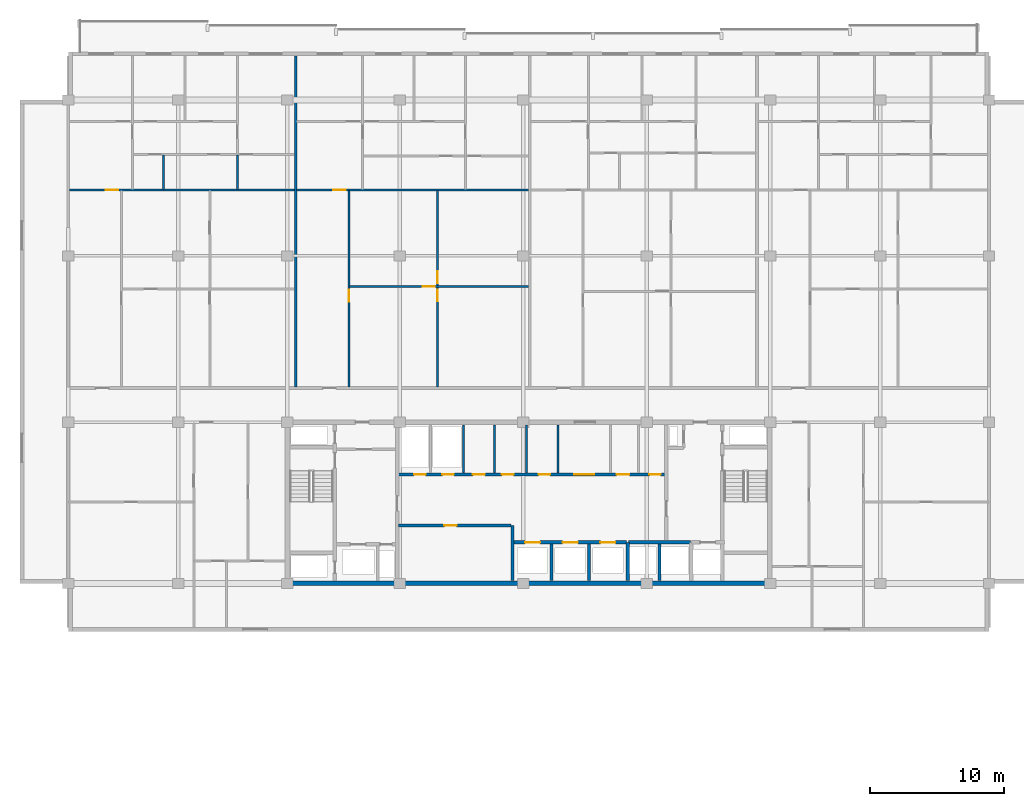
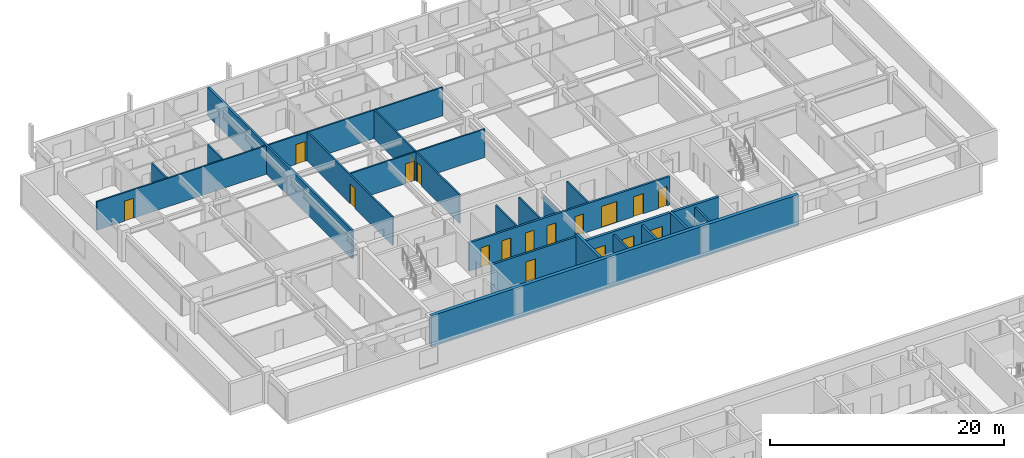
# One storey, part 12 of 23: 22 walls, 18 doors, 18 openings.
"""IFC4 building model written with IfcOpenShell, lengths in metres."""

from ifc_helpers import new_model, si_unit, direction, frame, frame_2d, origin, place, context, subcontext, project, spatial, rectangle, extrude, material, layer, layer_set, type_object, element, fill, save


model = new_model("IFC4")

# Units and contexts
model_context = context("Model", 3, precision=1e-05, world=origin(), true_north=direction((0.0, 1.0)))
body_context = subcontext(model_context, "Body", "Model", "MODEL_VIEW")
ifc_project = project(units=[si_unit("LENGTHUNIT", "METRE"), si_unit("AREAUNIT", "SQUARE_METRE"), si_unit("VOLUMEUNIT", "CUBIC_METRE"), si_unit("PLANEANGLEUNIT", "RADIAN"), si_unit("MASSUNIT", "GRAM", prefix="KILO")], contexts=[model_context])

# Site, building, storey
site_placement = place(None, origin())
site = spatial("IfcSite", under=ifc_project, at=site_placement, CompositionType="ELEMENT")
building_placement = place(site_placement, origin())
building = spatial("IfcBuilding", under=site, at=building_placement, Name="Korimba Cascade Residences", CompositionType="ELEMENT")
storey_placement = place(building_placement, frame((0.0, 0.0, 162.10009765625)))
storey = spatial("IfcBuildingStorey", under=building, at=storey_placement, Name="L46", CompositionType="ELEMENT", Elevation=162.10009765625)

# Walls
ifc_material_1 = material(Name="Concrete C65/80", Category="concrete")
ifc_layer_1 = layer(ifc_material_1, 0.35009765625)
ifc_layer_set_1 = layer_set([ifc_layer_1], Name="Concrete C65/80")
wall_type_1 = type_object("IfcWallType", Name="WAL-CORE-350", PredefinedType="SHEAR", material=ifc_layer_set_1)
wall_1_placement = place(storey_placement, frame((75.949951171875, 55.199951171875, 0.0), z_axis=(0.0, 0.0, 1.0), x_axis=(1.0, 0.0, 0.0)))
element("IfcWall", 1, at=wall_1_placement, inside=storey, type_object=wall_type_1, Name="L46 Core Shear Wall CW-L46-T1-S", PredefinedType="SHEAR", context=body_context, shape_type="SweptSolid", body=[
    extrude(rectangle(XDim=36.300048828125, YDim=0.35009765625, at=frame_2d((18.14990234375, 0.0))), origin(), (0.0, 0.0, 1.0), 3.25),
])
ifc_material_2 = material(Name="Precast concrete C40/50", Category="concrete")
ifc_layer_2 = layer(ifc_material_2, 0.199951171875)
ifc_layer_set_2 = layer_set([ifc_layer_2], Name="Precast concrete C40/50")
wall_type_2 = type_object("IfcWallType", Name="WAL-IT-200", PredefinedType="PARTITIONING", material=ifc_layer_set_2)
wall_2_placement = place(storey_placement, frame((76.735107421875, 69.830078125, 0.0), z_axis=(0.0, 0.0, 1.0), x_axis=(0.0, 1.0, 0.0)))
element("IfcWall", 2, at=wall_2_placement, inside=storey, type_object=wall_type_2, Name="L46 Partition Wall WAL-L46-T1-DEM-1", PredefinedType="PARTITIONING", context=body_context, shape_type="SweptSolid", body=[
    extrude(rectangle(XDim=24.669921875, YDim=0.199951171875, at=frame_2d((12.3349609375, 0.0))), origin(), (0.0, 0.0, 1.0), 2.969970703125),
])
ifc_material_3 = material(Name="Insulated Acoustic Stud Partition", Category="gypsum")
ifc_layer_3 = layer(ifc_material_3, 0.14990234375)
ifc_layer_set_3 = layer_set([ifc_layer_3], Name="Insulated Acoustic Stud Partition")
wall_type_3 = type_object("IfcWallType", Name="WAL-PART-150", PredefinedType="PARTITIONING", material=ifc_layer_set_3)
for number, where, z_axis, x_axis, name in (
    (3, (89.25, 63.39990234375, 0.0), (0.0, 0.0, 1.0), (0.0, 1.0, 0.0), "L46 Partition Wall CW-L46-T1-PRDIV"),
    (4, (91.550048828125, 63.39990234375, 0.0), (0.0, 0.0, 1.0), (0.0, 1.0, 0.0), "L46 Partition Wall CW-L46-T1-CA1W1"),
):
    element("IfcWall", number, at=place(storey_placement, frame(where, z_axis=z_axis, x_axis=x_axis)), inside=storey, type_object=wall_type_3, Name=name, PredefinedType="PARTITIONING", context=body_context, shape_type="SweptSolid", body=[
        extrude(rectangle(XDim=3.60009765625, YDim=0.14990234375, at=frame_2d((1.800048828125, 0.0))), origin(), (0.0, 0.0, 1.0), 2.969970703125),
    ])
wall_3_placement = place(storey_placement, frame((93.949951171875, 63.39990234375, 0.0), z_axis=(0.0, 0.0, 1.0), x_axis=(0.0, 1.0, 0.0)))
element("IfcWall", 5, at=wall_3_placement, inside=storey, type_object=wall_type_3, Name="L46 Partition Wall CW-L46-T1-CA1W2", PredefinedType="PARTITIONING", context=body_context, shape_type="SweptSolid", body=[
    extrude(rectangle(XDim=3.60009765625, YDim=0.14990234375, at=frame_2d((1.800048828125, 0.0))), origin(), (0.0, 0.0, 1.0), 2.277099609375),
])
wall_4_placement = place(storey_placement, frame((96.300048828125, 63.39990234375, 0.0), z_axis=(0.0, 0.0, 1.0), x_axis=(0.0, 1.0, 0.0)))
element("IfcWall", 6, at=wall_4_placement, inside=storey, type_object=wall_type_3, Name="L46 Partition Wall CW-L46-T1-THW", PredefinedType="PARTITIONING", context=body_context, shape_type="SweptSolid", body=[
    extrude(rectangle(XDim=3.60009765625, YDim=0.14990234375, at=frame_2d((1.800048828125, 0.0))), origin(), (0.0, 0.0, 1.0), 2.969970703125),
])
for number, where, z_axis, x_axis, name in (
    (7, (66.89990234375, 84.5400390625, 0.0), (0.0, 0.0, 1.0), (0.0, 1.0, 0.0), "L46 Partition Wall WAL-L46-T1-U01-VDRS"),
    (8, (72.405029296875, 84.5400390625, 0.0), (0.0, 0.0, 1.0), (0.0, 1.0, 0.0), "L46 Partition Wall WAL-L46-T1-U01-VBATH"),
):
    element("IfcWall", number, at=place(storey_placement, frame(where, z_axis=z_axis, x_axis=x_axis)), inside=storey, type_object=wall_type_3, Name=name, PredefinedType="PARTITIONING", context=body_context, shape_type="SweptSolid", body=[
        extrude(rectangle(XDim=2.580078125, YDim=0.14990234375, at=frame_2d((1.2900390625, 0.0))), origin(), (0.0, 0.0, 1.0), 2.969970703125),
    ])

# Wall, opening, door
wall_5_placement = place(storey_placement, frame((59.8798828125, 84.5, 0.0), z_axis=(0.0, 0.0, 1.0), x_axis=(1.0, 0.0, 0.0)))
wall_5 = element("IfcWall", 9, at=wall_5_placement, inside=storey, type_object=wall_type_3, Name="L46 Partition Wall WAL-L46-T1-U01-MW", PredefinedType="PARTITIONING", context=body_context, shape_type="SweptSolid", body=[
    extrude(rectangle(XDim=16.775146484375, YDim=0.14990234375, at=frame_2d((8.3876953125, 0.0))), origin(), (0.0, 0.0, 1.0), 2.969970703125),
])
opening_1_placement = place(wall_5_placement, frame((2.719970703125, 0.0, 0.0)))
opening_1 = element("IfcOpeningElement", 10, at=opening_1_placement, cuts=wall_5, Name="Opening D-IN1", PredefinedType="OPENING", context=body_context, shape_type="SweptSolid", body=[
    extrude(rectangle(XDim=0.919921875, YDim=2.080078125, at=frame_2d((0.4599609375, 1.0400390625))), frame((0.0, 0.0849609375, 0.0), z_axis=(0.0, -1.0, 0.0), x_axis=(1.0, 0.0, 0.0)), (0.0, 0.0, 1.0), 0.169921875),
])
ifc_material_4 = material(Name="Acoustic Timber Living Door", Category="wood")
door_type_1 = type_object("IfcDoorType", Name="DR-INT-920", OperationType="NOTDEFINED", PredefinedType="DOOR", material=ifc_material_4)
door_1_placement = place(opening_1_placement, origin())
door_1 = element("IfcDoor", 11, at=door_1_placement, inside=storey, type_object=door_type_1, Name="L46-T1-U01 Kitchen Door", OperationType="SINGLE_SWING_LEFT", OverallHeight=2.080078125, OverallWidth=0.919921875, PredefinedType="DOOR", context=body_context, shape_type="SweptSolid", body=[
    extrude(rectangle(XDim=0.919921875, YDim=2.080078125, at=frame_2d((0.4599609375, 1.0400390625))), frame((0.0, 0.02490234375, 0.0), z_axis=(0.0, -1.0, 0.0), x_axis=(1.0, 0.0, 0.0)), (0.0, 0.0, 1.0), 0.050048828125),
])
fill(opening_1, door_1)

# Wall, openings, doors
wall_6_placement = place(storey_placement, frame((87.31005859375, 69.81005859375, 0.0), z_axis=(0.0, 0.0, 1.0), x_axis=(0.0, 1.0, 0.0)))
wall_6 = element("IfcWall", 12, at=wall_6_placement, inside=storey, type_object=wall_type_3, Name="L46 Partition Wall WAL-L46-T1-U02-FMV", PredefinedType="PARTITIONING", context=body_context, shape_type="SweptSolid", body=[
    extrude(rectangle(XDim=14.64990234375, YDim=0.14990234375, at=frame_2d((7.324951171875, 0.0))), origin(), (0.0, 0.0, 1.0), 2.969970703125),
])
opening_2_placement = place(wall_6_placement, frame((6.4150390625, 0.0, 0.0)))
opening_2 = element("IfcOpeningElement", 13, at=opening_2_placement, cuts=wall_6, Name="Opening D-BT1", PredefinedType="OPENING", context=body_context, shape_type="SweptSolid", body=[
    extrude(rectangle(XDim=0.840087890625, YDim=2.0400390625, at=frame_2d((0.419921875, 1.02001953125))), frame((0.0, 0.0849609375, 0.0), z_axis=(0.0, -1.0, 0.0), x_axis=(1.0, 0.0, 0.0)), (0.0, 0.0, 1.0), 0.169921875),
])
opening_3_placement = place(wall_6_placement, frame((7.7548828125, 0.0, 0.0)))
opening_3 = element("IfcOpeningElement", 14, at=opening_3_placement, cuts=wall_6, Name="Opening D-IN2", PredefinedType="OPENING", context=body_context, shape_type="SweptSolid", body=[
    extrude(rectangle(XDim=0.8798828125, YDim=2.06005859375, at=frame_2d((0.43994140625, 1.030029296875))), frame((0.0, 0.0849609375, 0.0), z_axis=(0.0, -1.0, 0.0), x_axis=(1.0, 0.0, 0.0)), (0.0, 0.0, 1.0), 0.169921875),
])
ifc_material_5 = material(Name="Moisture-Resistant Bathroom Timber Door", Category="wood")
door_type_2 = type_object("IfcDoorType", Name="DR-INT-850", OperationType="NOTDEFINED", PredefinedType="DOOR", material=ifc_material_5)
door_2_placement = place(opening_2_placement, origin())
door_2 = element("IfcDoor", 15, at=door_2_placement, inside=storey, type_object=door_type_2, Name="L46-T1-U02 Wardrobe Door", OperationType="SINGLE_SWING_LEFT", OverallHeight=2.0400390625, OverallWidth=0.840087890625, PredefinedType="DOOR", context=body_context, shape_type="SweptSolid", body=[
    extrude(rectangle(XDim=0.840087890625, YDim=2.0400390625, at=frame_2d((0.419921875, 1.02001953125))), frame((0.0, 0.02490234375, 0.0), z_axis=(0.0, -1.0, 0.0), x_axis=(1.0, 0.0, 0.0)), (0.0, 0.0, 1.0), 0.050048828125),
])
fill(opening_2, door_2)
ifc_material_6 = material(Name="Acoustic Timber Bedroom Door", Category="wood")
door_type_3 = type_object("IfcDoorType", Name="DR-INT-880", OperationType="NOTDEFINED", PredefinedType="DOOR", material=ifc_material_6)
door_3_placement = place(opening_3_placement, origin())
door_3 = element("IfcDoor", 16, at=door_3_placement, inside=storey, type_object=door_type_3, Name="L46-T1-U02 Music Lounge Door", OperationType="SINGLE_SWING_RIGHT", OverallHeight=2.06005859375, OverallWidth=0.8798828125, PredefinedType="DOOR", context=body_context, shape_type="SweptSolid", body=[
    extrude(rectangle(XDim=0.8798828125, YDim=2.06005859375, at=frame_2d((0.43994140625, 1.030029296875))), frame((0.0, 0.02490234375, 0.0), z_axis=(0.0, -1.0, 0.0), x_axis=(1.0, 0.0, 0.0)), (0.0, 0.0, 1.0), 0.050048828125),
])
fill(opening_3, door_3)

# Wall, opening, door
wall_7_placement = place(storey_placement, frame((80.76513671875, 77.31494140625, 0.0), z_axis=(0.0, 0.0, 1.0), x_axis=(1.0, 0.0, 0.0)))
wall_7 = element("IfcWall", 17, at=wall_7_placement, inside=storey, type_object=wall_type_3, Name="L46 Partition Wall WAL-L46-T1-U02-FMH", PredefinedType="PARTITIONING", context=body_context, shape_type="SweptSolid", body=[
    extrude(rectangle(XDim=13.329833984375, YDim=0.14990234375, at=frame_2d((6.6650390625, 0.0))), origin(), (0.0, 0.0, 1.0), 2.969970703125),
])
opening_4_placement = place(wall_7_placement, frame((5.445068359375, 0.0, 0.0)))
opening_4 = element("IfcOpeningElement", 18, at=opening_4_placement, cuts=wall_7, Name="Opening D-IN2", PredefinedType="OPENING", context=body_context, shape_type="SweptSolid", body=[
    extrude(rectangle(XDim=0.8798828125, YDim=2.06005859375, at=frame_2d((0.43994140625, 1.030029296875))), frame((0.0, 0.0849609375, 0.0), z_axis=(0.0, -1.0, 0.0), x_axis=(1.0, 0.0, 0.0)), (0.0, 0.0, 1.0), 0.169921875),
])
door_4_placement = place(opening_4_placement, origin())
door_4 = element("IfcDoor", 19, at=door_4_placement, inside=storey, type_object=door_type_3, Name="L46-T1-U02 Library Salon Door", OperationType="SINGLE_SWING_LEFT", OverallHeight=2.06005859375, OverallWidth=0.8798828125, PredefinedType="DOOR", context=body_context, shape_type="SweptSolid", body=[
    extrude(rectangle(XDim=0.8798828125, YDim=2.06005859375, at=frame_2d((0.43994140625, 1.030029296875))), frame((0.0, 0.02490234375, 0.0), z_axis=(0.0, -1.0, 0.0), x_axis=(1.0, 0.0, 0.0)), (0.0, 0.0, 1.0), 0.050048828125),
])
fill(opening_4, door_4)

wall_8_placement = place(storey_placement, frame((80.705078125, 69.81005859375, 0.0), z_axis=(0.0, 0.0, 1.0), x_axis=(0.0, 1.0, 0.0)))
wall_8 = element("IfcWall", 20, at=wall_8_placement, inside=storey, type_object=wall_type_3, Name="L46 Partition Wall WAL-L46-T1-U02-FV", PredefinedType="PARTITIONING", context=body_context, shape_type="SweptSolid", body=[
    extrude(rectangle(XDim=14.64990234375, YDim=0.14990234375, at=frame_2d((7.324951171875, 0.0))), origin(), (0.0, 0.0, 1.0), 2.969970703125),
])
opening_5_placement = place(wall_8_placement, frame((6.375, 0.0, 0.0)))
opening_5 = element("IfcOpeningElement", 21, at=opening_5_placement, cuts=wall_8, Name="Opening D-IN2", PredefinedType="OPENING", context=body_context, shape_type="SweptSolid", body=[
    extrude(rectangle(XDim=0.8798828125, YDim=2.06005859375, at=frame_2d((0.43994140625, 1.030029296875))), frame((0.0, 0.0849609375, 0.0), z_axis=(0.0, -1.0, 0.0), x_axis=(1.0, 0.0, 0.0)), (0.0, 0.0, 1.0), 0.169921875),
])
door_5_placement = place(opening_5_placement, origin())
door_5 = element("IfcDoor", 22, at=door_5_placement, inside=storey, type_object=door_type_3, Name="L46-T1-U02 Media Lounge Door", OperationType="SINGLE_SWING_RIGHT", OverallHeight=2.06005859375, OverallWidth=0.8798828125, PredefinedType="DOOR", context=body_context, shape_type="SweptSolid", body=[
    extrude(rectangle(XDim=0.8798828125, YDim=2.06005859375, at=frame_2d((0.43994140625, 1.030029296875))), frame((0.0, 0.02490234375, 0.0), z_axis=(0.0, -1.0, 0.0), x_axis=(1.0, 0.0, 0.0)), (0.0, 0.0, 1.0), 0.050048828125),
])
fill(opening_5, door_5)

wall_9_placement = place(storey_placement, frame((76.815185546875, 84.5, 0.0), z_axis=(0.0, 0.0, 1.0), x_axis=(1.0, 0.0, 0.0)))
wall_9 = element("IfcWall", 23, at=wall_9_placement, inside=storey, type_object=wall_type_3, Name="L46 Partition Wall WAL-L46-T1-U02-MW", PredefinedType="PARTITIONING", context=body_context, shape_type="SweptSolid", body=[
    extrude(rectangle(XDim=17.27978515625, YDim=0.14990234375, at=frame_2d((8.639892578125, 0.0))), origin(), (0.0, 0.0, 1.0), 2.969970703125),
])
opening_6_placement = place(wall_9_placement, frame((2.719970703125, 0.0, 0.0)))
opening_6 = element("IfcOpeningElement", 24, at=opening_6_placement, cuts=wall_9, Name="Opening D-IN1", PredefinedType="OPENING", context=body_context, shape_type="SweptSolid", body=[
    extrude(rectangle(XDim=0.919921875, YDim=2.080078125, at=frame_2d((0.4599609375, 1.0400390625))), frame((0.0, 0.0849609375, 0.0), z_axis=(0.0, -1.0, 0.0), x_axis=(1.0, 0.0, 0.0)), (0.0, 0.0, 1.0), 0.169921875),
])
door_6_placement = place(opening_6_placement, origin())
door_6 = element("IfcDoor", 25, at=door_6_placement, inside=storey, type_object=door_type_1, Name="L46-T1-U02 Kitchen Door", OperationType="SINGLE_SWING_LEFT", OverallHeight=2.080078125, OverallWidth=0.919921875, PredefinedType="DOOR", context=body_context, shape_type="SweptSolid", body=[
    extrude(rectangle(XDim=0.919921875, YDim=2.080078125, at=frame_2d((0.4599609375, 1.0400390625))), frame((0.0, 0.02490234375, 0.0), z_axis=(0.0, -1.0, 0.0), x_axis=(1.0, 0.0, 0.0)), (0.0, 0.0, 1.0), 0.050048828125),
])
fill(opening_6, door_6)

ifc_material_7 = material(Name="Concrete C40/50", Category="concrete")
ifc_layer_4 = layer(ifc_material_7, 0.199951171875)
ifc_layer_set_4 = layer_set([ifc_layer_4], Name="Concrete C40/50")
wall_type_4 = type_object("IfcWallType", Name="WAL-PART-200", PredefinedType="PARTITIONING", material=ifc_layer_set_4)
wall_10_placement = place(storey_placement, frame((84.419921875, 59.5, 0.0), z_axis=(0.0, 0.0, 1.0), x_axis=(1.0, 0.0, 0.0)))
wall_10 = element("IfcWall", 26, at=wall_10_placement, inside=storey, type_object=wall_type_4, Name="L46 Partition Wall CW-L46-T1-B1RN", PredefinedType="PARTITIONING", context=body_context, shape_type="SweptSolid", body=[
    extrude(rectangle(XDim=8.360107421875, YDim=0.199951171875, at=frame_2d((4.18017578125, 0.0))), origin(), (0.0, 0.0, 1.0), 2.969970703125),
])
opening_7_placement = place(wall_10_placement, frame((3.39990234375, 0.0, 0.0)))
opening_7 = element("IfcOpeningElement", 27, at=opening_7_placement, cuts=wall_10, Name="Opening D-ST1", PredefinedType="OPENING", context=body_context, shape_type="SweptSolid", body=[
    extrude(rectangle(XDim=0.919921875, YDim=2.080078125, at=frame_2d((0.4599609375, 1.0400390625))), frame((0.0, 0.10986328125, 0.0), z_axis=(0.0, -1.0, 0.0), x_axis=(1.0, 0.0, 0.0)), (0.0, 0.0, 1.0), 0.219970703125),
])
ifc_material_8 = material(Name="Fire-Rated Core Store Door", Category="wood")
door_type_4 = type_object("IfcDoorType", Name="DR-FD60-920", OperationType="NOTDEFINED", PredefinedType="DOOR", material=ifc_material_8)
door_7_placement = place(opening_7_placement, origin())
door_7 = element("IfcDoor", 28, at=door_7_placement, inside=storey, type_object=door_type_4, Name="L46 Resident Storage Door", OperationType="SINGLE_SWING_RIGHT", OverallHeight=2.080078125, OverallWidth=0.919921875, PredefinedType="DOOR", context=body_context, shape_type="SweptSolid", body=[
    extrude(rectangle(XDim=0.919921875, YDim=2.080078125, at=frame_2d((0.4599609375, 1.0400390625))), frame((0.0, 0.02490234375, 0.0), z_axis=(0.0, -1.0, 0.0), x_axis=(1.0, 0.0, 0.0)), (0.0, 0.0, 1.0), 0.050048828125),
])
fill(opening_7, door_7)

# Walls
for number, where, z_axis, x_axis, name in (
    (29, (95.800048828125, 55.39990234375, 0.0), (0.0, 0.0, 1.0), (0.0, 1.0, 0.0), "L46 Partition Wall CW-L46-T1-B2D1"),
    (30, (98.60009765625, 55.39990234375, 0.0), (0.0, 0.0, 1.0), (0.0, 1.0, 0.0), "L46 Partition Wall CW-L46-T1-B2D2"),
    (31, (103.85009765625, 55.39990234375, 0.0), (0.0, 0.0, 1.0), (0.0, 1.0, 0.0), "L46 Partition Wall CW-L46-T1-B3D1"),
):
    element("IfcWall", number, at=place(storey_placement, frame(where, z_axis=z_axis, x_axis=x_axis)), inside=storey, type_object=wall_type_4, Name=name, PredefinedType="PARTITIONING", context=body_context, shape_type="SweptSolid", body=[
        extrude(rectangle(XDim=2.72021484375, YDim=0.199951171875, at=frame_2d((1.360107421875, 0.0))), origin(), (0.0, 0.0, 1.0), 2.969970703125),
    ])

# Wall, openings, doors
wall_11_placement = place(storey_placement, frame((84.419921875, 63.300048828125, 0.0), z_axis=(0.0, 0.0, 1.0), x_axis=(1.0, 0.0, 0.0)))
wall_11 = element("IfcWall", 32, at=wall_11_placement, inside=storey, type_object=wall_type_4, Name="L46 Partition Wall CW-L46-T1-SRVROW", PredefinedType="PARTITIONING", context=body_context, shape_type="SweptSolid", body=[
    extrude(rectangle(XDim=19.830078125, YDim=0.199951171875, at=frame_2d((9.9150390625, 0.0))), origin(), (0.0, 0.0, 1.0), 2.969970703125),
])
opening_8_placement = place(wall_11_placement, frame((1.14990234375, 0.0, 0.0)))
opening_8 = element("IfcOpeningElement", 33, at=opening_8_placement, cuts=wall_11, Name="Opening D-RS1", PredefinedType="OPENING", context=body_context, shape_type="SweptSolid", body=[
    extrude(rectangle(XDim=0.85009765625, YDim=2.050048828125, at=frame_2d((0.425048828125, 1.02490234375))), frame((0.0, 0.10986328125, 0.0), z_axis=(0.0, -1.0, 0.0), x_axis=(1.0, 0.0, 0.0)), (0.0, 0.0, 1.0), 0.219970703125),
])
opening_9_placement = place(wall_11_placement, frame((3.25, 0.0, 0.0)))
opening_9 = element("IfcOpeningElement", 34, at=opening_9_placement, cuts=wall_11, Name="Opening D-RS1", PredefinedType="OPENING", context=body_context, shape_type="SweptSolid", body=[
    extrude(rectangle(XDim=0.85009765625, YDim=2.050048828125, at=frame_2d((0.425048828125, 1.02490234375))), frame((0.0, 0.10986328125, 0.0), z_axis=(0.0, -1.0, 0.0), x_axis=(1.0, 0.0, 0.0)), (0.0, 0.0, 1.0), 0.219970703125),
])
opening_10_placement = place(wall_11_placement, frame((13.080078125, 0.0, 0.0)))
opening_10 = element("IfcOpeningElement", 35, at=opening_10_placement, cuts=wall_11, Name="Opening D-FD8", PredefinedType="OPENING", context=body_context, shape_type="SweptSolid", body=[
    extrude(rectangle(XDim=1.5, YDim=2.199951171875, at=frame_2d((0.75, 1.10009765625))), frame((0.0, 0.10986328125, 0.0), z_axis=(0.0, -1.0, 0.0), x_axis=(1.0, 0.0, 0.0)), (0.0, 0.0, 1.0), 0.219970703125),
])
opening_11_placement = place(wall_11_placement, frame((5.530029296875, 0.0, 0.0)))
opening_11 = element("IfcOpeningElement", 36, at=opening_11_placement, cuts=wall_11, Name="Opening D-IN2", PredefinedType="OPENING", context=body_context, shape_type="SweptSolid", body=[
    extrude(rectangle(XDim=0.8798828125, YDim=2.06005859375, at=frame_2d((0.43994140625, 1.030029296875))), frame((0.0, 0.10986328125, 0.0), z_axis=(0.0, -1.0, 0.0), x_axis=(1.0, 0.0, 0.0)), (0.0, 0.0, 1.0), 0.219970703125),
])
opening_12_placement = place(wall_11_placement, frame((7.679931640625, 0.0, 0.0)))
opening_12 = element("IfcOpeningElement", 37, at=opening_12_placement, cuts=wall_11, Name="Opening D-IN2", PredefinedType="OPENING", context=body_context, shape_type="SweptSolid", body=[
    extrude(rectangle(XDim=0.8798828125, YDim=2.06005859375, at=frame_2d((0.43994140625, 1.030029296875))), frame((0.0, 0.10986328125, 0.0), z_axis=(0.0, -1.0, 0.0), x_axis=(1.0, 0.0, 0.0)), (0.0, 0.0, 1.0), 0.219970703125),
])
opening_13_placement = place(wall_11_placement, frame((10.429931640625, 0.0, 0.0)))
opening_13 = element("IfcOpeningElement", 38, at=opening_13_placement, cuts=wall_11, Name="Opening D-RS1", PredefinedType="OPENING", context=body_context, shape_type="SweptSolid", body=[
    extrude(rectangle(XDim=0.85009765625, YDim=2.050048828125, at=frame_2d((0.425048828125, 1.02490234375))), frame((0.0, 0.10986328125, 0.0), z_axis=(0.0, -1.0, 0.0), x_axis=(1.0, 0.0, 0.0)), (0.0, 0.0, 1.0), 0.219970703125),
])
opening_14_placement = place(wall_11_placement, frame((16.22998046875, 0.0, 0.0)))
opening_14 = element("IfcOpeningElement", 39, at=opening_14_placement, cuts=wall_11, Name="Opening D-AC1", PredefinedType="OPENING", context=body_context, shape_type="SweptSolid", body=[
    extrude(rectangle(XDim=0.9599609375, YDim=2.10009765625, at=frame_2d((0.47998046875, 1.050048828125))), frame((0.0, 0.10986328125, 0.0), z_axis=(0.0, -1.0, 0.0), x_axis=(1.0, 0.0, 0.0)), (0.0, 0.0, 1.0), 0.219970703125),
])
opening_15_placement = place(wall_11_placement, frame((18.679931640625, 0.0, 0.0)))
opening_15 = element("IfcOpeningElement", 40, at=opening_15_placement, cuts=wall_11, Name="Opening D-BT1", PredefinedType="OPENING", context=body_context, shape_type="SweptSolid", body=[
    extrude(rectangle(XDim=0.840087890625, YDim=2.0400390625, at=frame_2d((0.419921875, 1.02001953125))), frame((0.0, 0.10986328125, 0.0), z_axis=(0.0, -1.0, 0.0), x_axis=(1.0, 0.0, 0.0)), (0.0, 0.0, 1.0), 0.219970703125),
])
ifc_material_9 = material(Name="Accessible Acoustic Timber WC Door", Category="wood")
door_type_5 = type_object("IfcDoorType", Name="DR-ACC-950", OperationType="NOTDEFINED", PredefinedType="DOOR", material=ifc_material_9)
door_8_placement = place(opening_14_placement, origin())
door_8 = element("IfcDoor", 41, at=door_8_placement, inside=storey, type_object=door_type_5, Name="L46 Accessible Staff WC Door", OperationType="SINGLE_SWING_RIGHT", OverallHeight=2.10009765625, OverallWidth=0.9599609375, PredefinedType="DOOR", context=body_context, shape_type="SweptSolid", body=[
    extrude(rectangle(XDim=0.9599609375, YDim=2.10009765625, at=frame_2d((0.47998046875, 1.050048828125))), frame((0.0, 0.02490234375, 0.0), z_axis=(0.0, -1.0, 0.0), x_axis=(1.0, 0.0, 0.0)), (0.0, 0.0, 1.0), 0.050048828125),
])
fill(opening_14, door_8)
ifc_material_10 = material(Name="Fire-Rated Steel Riser Access Door", Category="steel")
door_type_6 = type_object("IfcDoorType", Name="DR-FD60-850", OperationType="NOTDEFINED", PredefinedType="DOOR", material=ifc_material_10)
door_9_placement = place(opening_8_placement, origin())
door_9 = element("IfcDoor", 42, at=door_9_placement, inside=storey, type_object=door_type_6, Name="L46 Electrical Riser Door", OperationType="SINGLE_SWING_LEFT", OverallHeight=2.050048828125, OverallWidth=0.85009765625, PredefinedType="DOOR", context=body_context, shape_type="SweptSolid", body=[
    extrude(rectangle(XDim=0.85009765625, YDim=2.050048828125, at=frame_2d((0.425048828125, 1.02490234375))), frame((0.0, 0.02490234375, 0.0), z_axis=(0.0, -1.0, 0.0), x_axis=(1.0, 0.0, 0.0)), (0.0, 0.0, 1.0), 0.050048828125),
])
fill(opening_8, door_9)
door_10_placement = place(opening_9_placement, origin())
door_10 = element("IfcDoor", 43, at=door_10_placement, inside=storey, type_object=door_type_6, Name="L46 Plumbing Riser Door", OperationType="SINGLE_SWING_RIGHT", OverallHeight=2.050048828125, OverallWidth=0.85009765625, PredefinedType="DOOR", context=body_context, shape_type="SweptSolid", body=[
    extrude(rectangle(XDim=0.85009765625, YDim=2.050048828125, at=frame_2d((0.425048828125, 1.02490234375))), frame((0.0, 0.02490234375, 0.0), z_axis=(0.0, -1.0, 0.0), x_axis=(1.0, 0.0, 0.0)), (0.0, 0.0, 1.0), 0.050048828125),
])
fill(opening_9, door_10)
door_11_placement = place(opening_13_placement, origin())
door_11 = element("IfcDoor", 44, at=door_11_placement, inside=storey, type_object=door_type_6, Name="L46 IT Room Door", OperationType="SINGLE_SWING_LEFT", OverallHeight=2.050048828125, OverallWidth=0.85009765625, PredefinedType="DOOR", context=body_context, shape_type="SweptSolid", body=[
    extrude(rectangle(XDim=0.85009765625, YDim=2.050048828125, at=frame_2d((0.425048828125, 1.02490234375))), frame((0.0, 0.02490234375, 0.0), z_axis=(0.0, -1.0, 0.0), x_axis=(1.0, 0.0, 0.0)), (0.0, 0.0, 1.0), 0.050048828125),
])
fill(opening_13, door_11)
ifc_material_11 = material(Name="Fire-Rated Glazed Lift Lobby Double Door", Category="glass")
door_type_7 = type_object("IfcDoorType", Name="DR-FD90-1500", OperationType="NOTDEFINED", PredefinedType="DOOR", material=ifc_material_11)
door_12_placement = place(opening_10_placement, origin())
door_12 = element("IfcDoor", 45, at=door_12_placement, inside=storey, type_object=door_type_7, Name="L46 Lift Lobby Foyer Archway Door", OperationType="DOUBLE_DOOR_SINGLE_SWING", OverallHeight=2.199951171875, OverallWidth=1.5, PredefinedType="DOOR", context=body_context, shape_type="SweptSolid", body=[
    extrude(rectangle(XDim=1.5, YDim=2.199951171875, at=frame_2d((0.75, 1.10009765625))), frame((0.0, 0.02490234375, 0.0), z_axis=(0.0, -1.0, 0.0), x_axis=(1.0, 0.0, 0.0)), (0.0, 0.0, 1.0), 0.050048828125),
])
fill(opening_10, door_12)
door_13_placement = place(opening_15_placement, origin())
door_13 = element("IfcDoor", 46, at=door_13_placement, inside=storey, type_object=door_type_2, Name="L46 Vending Room Door", OperationType="SINGLE_SWING_LEFT", OverallHeight=2.0400390625, OverallWidth=0.840087890625, PredefinedType="DOOR", context=body_context, shape_type="SweptSolid", body=[
    extrude(rectangle(XDim=0.840087890625, YDim=2.0400390625, at=frame_2d((0.419921875, 1.02001953125))), frame((0.0, 0.02490234375, 0.0), z_axis=(0.0, -1.0, 0.0), x_axis=(1.0, 0.0, 0.0)), (0.0, 0.0, 1.0), 0.050048828125),
])
fill(opening_15, door_13)
door_14_placement = place(opening_11_placement, origin())
door_14 = element("IfcDoor", 47, at=door_14_placement, inside=storey, type_object=door_type_3, Name="L46 Cleaners Door", OperationType="SINGLE_SWING_LEFT", OverallHeight=2.06005859375, OverallWidth=0.8798828125, PredefinedType="DOOR", context=body_context, shape_type="SweptSolid", body=[
    extrude(rectangle(XDim=0.8798828125, YDim=2.06005859375, at=frame_2d((0.43994140625, 1.030029296875))), frame((0.0, 0.02490234375, 0.0), z_axis=(0.0, -1.0, 0.0), x_axis=(1.0, 0.0, 0.0)), (0.0, 0.0, 1.0), 0.050048828125),
])
fill(opening_11, door_14)
door_15_placement = place(opening_12_placement, origin())
door_15 = element("IfcDoor", 48, at=door_15_placement, inside=storey, type_object=door_type_3, Name="L46 Pantry Door", OperationType="SINGLE_SWING_RIGHT", OverallHeight=2.06005859375, OverallWidth=0.8798828125, PredefinedType="DOOR", context=body_context, shape_type="SweptSolid", body=[
    extrude(rectangle(XDim=0.8798828125, YDim=2.06005859375, at=frame_2d((0.43994140625, 1.030029296875))), frame((0.0, 0.02490234375, 0.0), z_axis=(0.0, -1.0, 0.0), x_axis=(1.0, 0.0, 0.0)), (0.0, 0.0, 1.0), 0.050048828125),
])
fill(opening_12, door_15)

# Wall
ifc_material_12 = material(Name="Concrete C50/60", Category="concrete")
ifc_layer_5 = layer(ifc_material_12, 0.25)
ifc_layer_set_5 = layer_set([ifc_layer_5], Name="Concrete C50/60")
wall_type_5 = type_object("IfcWallType", Name="WAL-SHAFT-250", PredefinedType="SHEAR", material=ifc_layer_set_5)
wall_12_placement = place(storey_placement, frame((92.89990234375, 55.39990234375, 0.0), z_axis=(0.0, 0.0, 1.0), x_axis=(0.0, 1.0, 0.0)))
element("IfcWall", 49, at=wall_12_placement, inside=storey, type_object=wall_type_5, Name="L46 Core Shear Wall CW-L46-T1-B12DIV", PredefinedType="SHEAR", context=body_context, shape_type="SweptSolid", body=[
    extrude(rectangle(XDim=4.10009765625, YDim=0.25, at=frame_2d((2.050048828125, 0.0))), origin(), (0.0, 0.0, 1.0), 3.25),
])

# Wall, openings, doors
wall_13_placement = place(storey_placement, frame((93.02001953125, 58.25, 0.0), z_axis=(0.0, 0.0, 1.0), x_axis=(1.0, 0.0, 0.0)))
wall_13 = element("IfcWall", 50, at=wall_13_placement, inside=storey, type_object=wall_type_5, Name="L46 Core Shear Wall CW-L46-T1-B2N", PredefinedType="SHEAR", context=body_context, shape_type="SweptSolid", body=[
    extrude(rectangle(XDim=8.35986328125, YDim=0.25, at=frame_2d((4.179931640625, 0.0))), origin(), (0.0, 0.0, 1.0), 3.25),
])
opening_16_placement = place(wall_13_placement, frame((0.820068359375, 0.0, 0.0)))
opening_16 = element("IfcOpeningElement", 51, at=opening_16_placement, cuts=wall_13, Name="Opening LD-01", PredefinedType="OPENING", context=body_context, shape_type="SweptSolid", body=[
    extrude(rectangle(XDim=1.1201171875, YDim=2.1201171875, at=frame_2d((0.56005859375, 1.06005859375))), frame((0.0, 0.135009765625, 0.0), z_axis=(0.0, -1.0, 0.0), x_axis=(1.0, 0.0, 0.0)), (0.0, 0.0, 1.0), 0.27001953125),
])
opening_17_placement = place(wall_13_placement, frame((3.6201171875, 0.0, 0.0)))
opening_17 = element("IfcOpeningElement", 52, at=opening_17_placement, cuts=wall_13, Name="Opening LD-01", PredefinedType="OPENING", context=body_context, shape_type="SweptSolid", body=[
    extrude(rectangle(XDim=1.1201171875, YDim=2.1201171875, at=frame_2d((0.56005859375, 1.06005859375))), frame((0.0, 0.135009765625, 0.0), z_axis=(0.0, -1.0, 0.0), x_axis=(1.0, 0.0, 0.0)), (0.0, 0.0, 1.0), 0.27001953125),
])
opening_18_placement = place(wall_13_placement, frame((6.419921875, 0.0, 0.0)))
opening_18 = element("IfcOpeningElement", 53, at=opening_18_placement, cuts=wall_13, Name="Opening LD-01", PredefinedType="OPENING", context=body_context, shape_type="SweptSolid", body=[
    extrude(rectangle(XDim=1.1201171875, YDim=2.1201171875, at=frame_2d((0.56005859375, 1.06005859375))), frame((0.0, 0.135009765625, 0.0), z_axis=(0.0, -1.0, 0.0), x_axis=(1.0, 0.0, 0.0)), (0.0, 0.0, 1.0), 0.27001953125),
])
ifc_material_13 = material(Name="Stainless Steel Lift Landing Sliding Door", Category="steel")
door_type_8 = type_object("IfcDoorType", Name="DR-LIFT-1100", OperationType="NOTDEFINED", PredefinedType="DOOR", material=ifc_material_13)
door_16_placement = place(opening_16_placement, origin())
door_16 = element("IfcDoor", 54, at=door_16_placement, inside=storey, type_object=door_type_8, Name="L46 Lift Landing Door PL-W4", OperationType="SLIDING_TO_RIGHT", OverallHeight=2.1201171875, OverallWidth=1.1201171875, PredefinedType="DOOR", context=body_context, shape_type="SweptSolid", body=[
    extrude(rectangle(XDim=1.1201171875, YDim=2.1201171875, at=frame_2d((0.56005859375, 1.06005859375))), frame((0.0, 0.02490234375, 0.0), z_axis=(0.0, -1.0, 0.0), x_axis=(1.0, 0.0, 0.0)), (0.0, 0.0, 1.0), 0.050048828125),
])
fill(opening_16, door_16)
door_17_placement = place(opening_17_placement, origin())
door_17 = element("IfcDoor", 55, at=door_17_placement, inside=storey, type_object=door_type_8, Name="L46 Lift Landing Door PL-W5", OperationType="SLIDING_TO_RIGHT", OverallHeight=2.1201171875, OverallWidth=1.1201171875, PredefinedType="DOOR", context=body_context, shape_type="SweptSolid", body=[
    extrude(rectangle(XDim=1.1201171875, YDim=2.1201171875, at=frame_2d((0.56005859375, 1.06005859375))), frame((0.0, 0.02490234375, 0.0), z_axis=(0.0, -1.0, 0.0), x_axis=(1.0, 0.0, 0.0)), (0.0, 0.0, 1.0), 0.050048828125),
])
fill(opening_17, door_17)
door_18_placement = place(opening_18_placement, origin())
door_18 = element("IfcDoor", 56, at=door_18_placement, inside=storey, type_object=door_type_8, Name="L46 Lift Landing Door PL-W6", OperationType="SLIDING_TO_RIGHT", OverallHeight=2.1201171875, OverallWidth=1.1201171875, PredefinedType="DOOR", context=body_context, shape_type="SweptSolid", body=[
    extrude(rectangle(XDim=1.1201171875, YDim=2.1201171875, at=frame_2d((0.56005859375, 1.06005859375))), frame((0.0, 0.02490234375, 0.0), z_axis=(0.0, -1.0, 0.0), x_axis=(1.0, 0.0, 0.0)), (0.0, 0.0, 1.0), 0.050048828125),
])
fill(opening_18, door_18)

# Walls
wall_14_placement = place(storey_placement, frame((101.47998046875, 55.39990234375, 0.0), z_axis=(0.0, 0.0, 1.0), x_axis=(0.0, 1.0, 0.0)))
element("IfcWall", 57, at=wall_14_placement, inside=storey, type_object=wall_type_5, Name="L46 Core Shear Wall CW-L46-T1-B23DIV", PredefinedType="SHEAR", context=body_context, shape_type="SweptSolid", body=[
    extrude(rectangle(XDim=2.85009765625, YDim=0.25, at=frame_2d((1.425048828125, 0.0))), origin(), (0.0, 0.0, 1.0), 3.25),
])
wall_15_placement = place(storey_placement, frame((101.550048828125, 58.25, 0.0), z_axis=(0.0, 0.0, 1.0), x_axis=(1.0, 0.0, 0.0)))
element("IfcWall", 58, at=wall_15_placement, inside=storey, type_object=wall_type_5, Name="L46 Core Shear Wall CW-L46-T1-B3N", PredefinedType="SHEAR", context=body_context, shape_type="SweptSolid", body=[
    extrude(rectangle(XDim=4.599853515625, YDim=0.25, at=frame_2d((2.2998046875, 0.0))), origin(), (0.0, 0.0, 1.0), 3.25),
])

save(model, "model.ifc")
